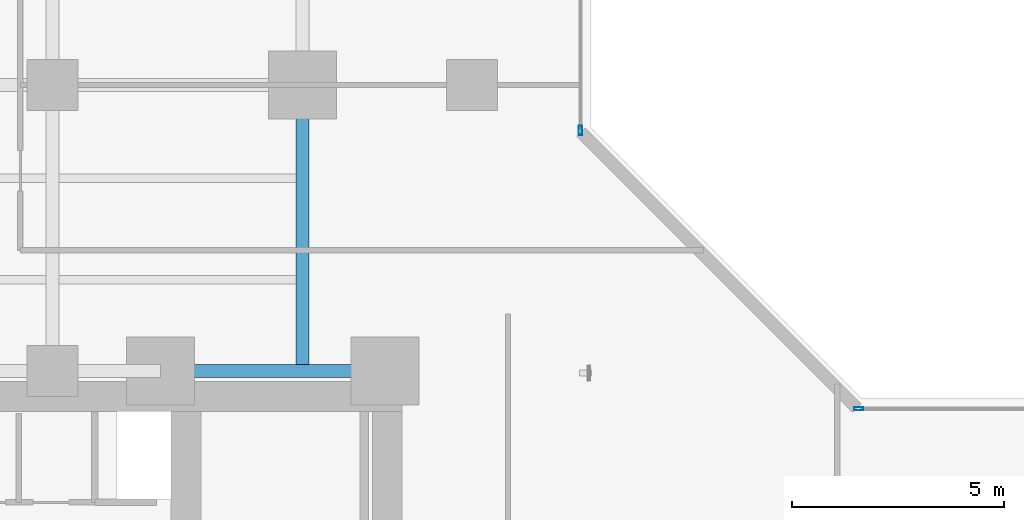
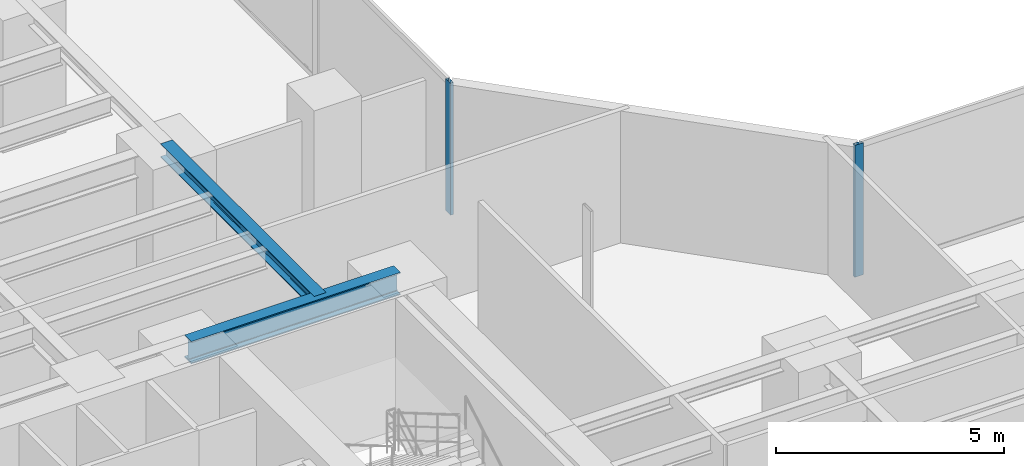
# One storey, part 8 of 28: 2 beams, 2 members, 2 elements without a shape of their own.
"""IFC4 building model written with IfcOpenShell, lengths in metres."""

from ifc_helpers import new_model, si_unit, direction, frame, origin, origin_with_axes, origin_2d, place, context, subcontext, project, spatial, hollow_rectangle, i_section, extrude, source, transform, mapped, material, layer, layer_set, material_profile, profile_set, type_object, element, aggregate, save


model = new_model("IFC4")

# Units and contexts
model_context = context("Model", 3, precision=1e-05, world=origin(), true_north=direction((0.0, 1.0)))
body_context = subcontext(model_context, "Body", "Model", "MODEL_VIEW")
ifc_project = project(units=[si_unit("LENGTHUNIT", "METRE"), si_unit("AREAUNIT", "SQUARE_METRE"), si_unit("VOLUMEUNIT", "CUBIC_METRE"), si_unit("PLANEANGLEUNIT", "RADIAN"), si_unit("MASSUNIT", "GRAM", prefix="KILO")], contexts=[model_context])

# Site, building, storey
site_placement = place(None, origin())
site = spatial("IfcSite", under=ifc_project, at=site_placement, CompositionType="ELEMENT")
building_placement = place(site_placement, origin())
building = spatial("IfcBuilding", under=site, at=building_placement, Name="Kolvaren Waterfront Exchange", CompositionType="ELEMENT")
storey_placement = place(building_placement, frame((0.0, 0.0, 75.199951171875)))
storey = spatial("IfcBuildingStorey", under=building, at=storey_placement, Name="L19", CompositionType="ELEMENT", Elevation=75.199951171875)

# Beams
ifc_material_1 = material(Name="Steel S355", Category="steel")
ifc_material_profile_1 = material_profile(ifc_material_1, i_section(OverallWidth=0.300048828125, OverallDepth=0.360107421875, WebThickness=0.012451171875, FlangeThickness=0.0224609375, FilletRadius=0.027099609375, at=origin_2d()), Name="HEB360")
ifc_profile_set_1 = profile_set([ifc_material_profile_1], Name="Steel S355")
beam_type_1 = type_object("IfcBeamType", Name="STR-BM-HEB360", PredefinedType="SPANDREL", material=ifc_profile_set_1)
beam_1_placement = place(storey_placement, frame((18.800048828125, 24.449951171875, 3.360107421875), z_axis=(0.0, 1.0, 0.0), x_axis=(-1.0, 0.0, 0.0)))
element("IfcBeam", 1, at=beam_1_placement, inside=storey, type_object=beam_type_1, Name="L19 north-arm edge beam 1", PredefinedType="SPANDREL", context=body_context, shape_type="SweptSolid", body=[
    extrude(i_section(OverallWidth=0.300048828125, OverallDepth=0.360107421875, WebThickness=0.012451171875, FlangeThickness=0.0224609375, FilletRadius=0.027099609375, at=origin_2d()), origin(), (0.0, 0.0, 1.0), 6.75),
])
ifc_material_profile_2 = material_profile(ifc_material_1, i_section(OverallWidth=0.300048828125, OverallDepth=0.60009765625, WebThickness=0.015380859375, FlangeThickness=0.030029296875, FilletRadius=0.027099609375, at=origin_2d()), Name="HEB600")
ifc_profile_set_2 = profile_set([ifc_material_profile_2], Name="Steel S355")
beam_type_2 = type_object("IfcBeamType", Name="STR-BM-HEB600", PredefinedType="BEAM", material=ifc_profile_set_2)
beam_2_placement = place(storey_placement, frame((15.449951171875, 24.449951171875, 3.239990234375), z_axis=(1.0, 0.0, 0.0), x_axis=(0.0, 1.0, 0.0)))
element("IfcBeam", 2, at=beam_2_placement, inside=storey, type_object=beam_type_2, Name="L19 north-arm girder 1C", PredefinedType="BEAM", context=body_context, shape_type="SweptSolid", body=[
    extrude(i_section(OverallWidth=0.300048828125, OverallDepth=0.60009765625, WebThickness=0.015380859375, FlangeThickness=0.030029296875, FilletRadius=0.027099609375, at=origin_2d()), origin(), (0.0, 0.0, 1.0), 5.300048828125),
])

# Curtain wall, member
ifc_material_2 = material(Name="Anodised bronze aluminium 6063-T6", Category="aluminium")
ifc_layer = layer(ifc_material_2, 0.219970703125, Name="Anodised bronze aluminium 6063-T6")
ifc_layer_set = layer_set([ifc_layer], Name="Anodised bronze aluminium 6063-T6")
curtain_wall_type = type_object("IfcCurtainWallType", Name="ARC-CW-SYS1", PredefinedType="USERDEFINED", material=ifc_layer_set)
curtain_wall_1_placement = place(storey_placement, origin())
curtain_wall_1 = element("IfcCurtainWall", 3, at=curtain_wall_1_placement, inside=storey, type_object=curtain_wall_type, Name="L19 stick curtain wall CW1 (CW-L19-NE)", ObjectType="STICK CURTAIN WALL", PredefinedType="USERDEFINED")
ifc_material_3 = material(Name="Anodised aluminium 6063-T6", Category="aluminium")
ifc_material_profile_3 = material_profile(ifc_material_3, hollow_rectangle(XDim=0.080078125, YDim=0.219970703125, WallThickness=0.0048828125, at=origin_2d()), Name="ALU-MUL-220x80x5")
ifc_profile_set_3 = profile_set([ifc_material_profile_3], Name="Anodised aluminium 6063-T6")
member_type = type_object("IfcMemberType", Name="ARC-CWM-220", PredefinedType="MULLION", material=ifc_profile_set_3)
shared_shape = source(origin_with_axes(), body_context, "Body", "SweptSolid", [
    extrude(hollow_rectangle(XDim=0.080078125, YDim=0.219970703125, WallThickness=0.0048828125, at=origin_2d()), origin(), (0.0, 0.0, 1.0), 3.5400390625),
])
member_1_placement = place(storey_placement, frame((25.360107421875, 30.1298828125, 0.0), z_axis=(0.0, 0.0, 1.0), x_axis=(-1.0, 0.0, 0.0)))
member_1 = element("IfcMember", 4, at=member_1_placement, type_object=member_type, Name="CW1 mullion 1", PredefinedType="MULLION", context=body_context, shape_type="MappedRepresentation", body=[
    mapped(shared_shape, transform((0.0, 0.0, 0.0), x_axis=(1.0, 0.0, 0.0), y_axis=(0.0, 1.0, 0.0), z_axis=(0.0, 0.0, 1.0), scale=1.0)),
])
aggregate(curtain_wall_1, [member_1])

curtain_wall_2_placement = place(storey_placement, origin())
curtain_wall_2 = element("IfcCurtainWall", 5, at=curtain_wall_2_placement, inside=storey, type_object=curtain_wall_type, Name="L19 stick curtain wall CW1 (CW-L19-EN)", ObjectType="STICK CURTAIN WALL", PredefinedType="USERDEFINED")
member_2_placement = place(storey_placement, frame((31.929931640625, 23.56005859375, 0.0), z_axis=(0.0, 0.0, 1.0), x_axis=(0.0, 1.0, 0.0)))
member_2 = element("IfcMember", 6, at=member_2_placement, type_object=member_type, Name="CW1 mullion 1", PredefinedType="MULLION", context=body_context, shape_type="MappedRepresentation", body=[
    mapped(shared_shape, transform((0.0, 0.0, 0.0), x_axis=(1.0, 0.0, 0.0), y_axis=(0.0, 1.0, 0.0), z_axis=(0.0, 0.0, 1.0), scale=1.0)),
])
aggregate(curtain_wall_2, [member_2])

save(model, "model.ifc")
